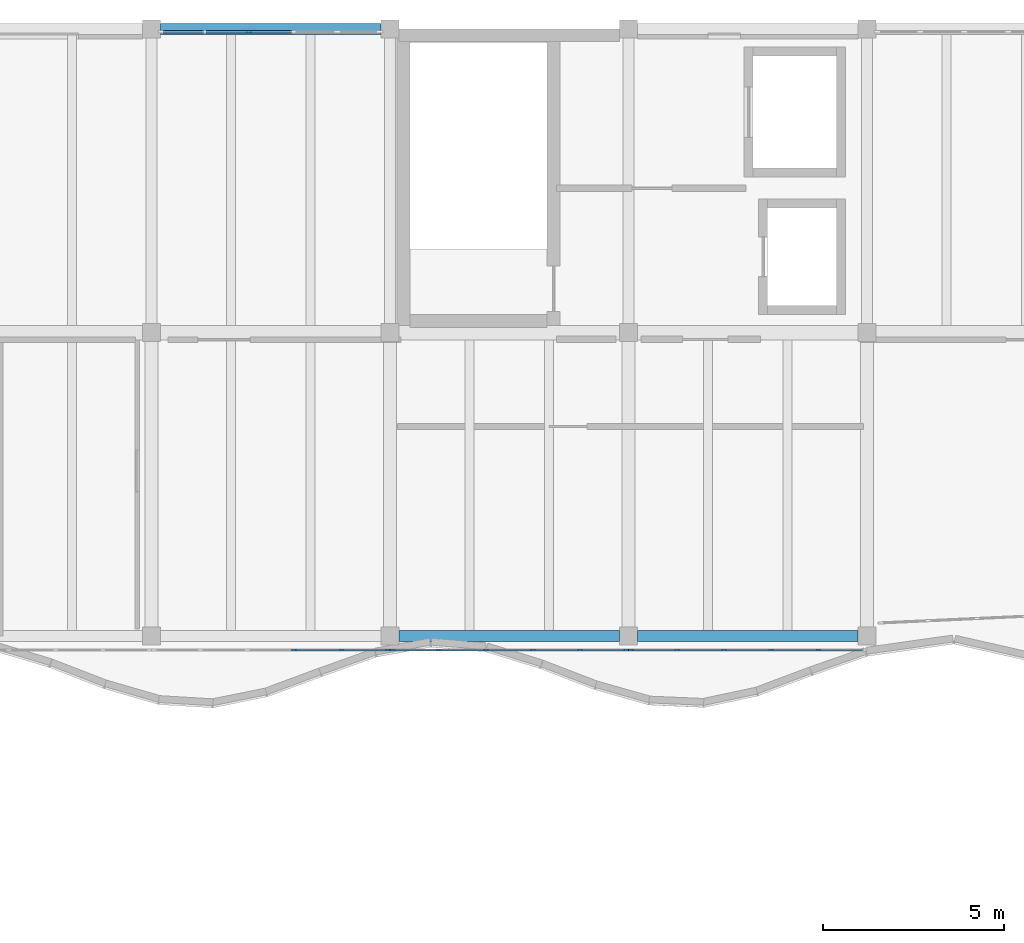
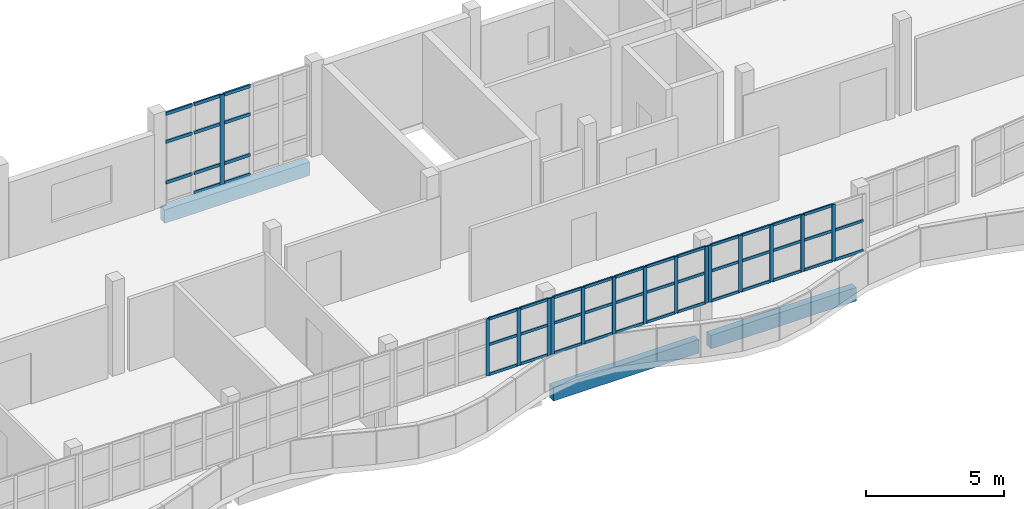
# One storey, part 12 of 47: 61 members, 3 beams, 4 elements without a shape of their own.
"""IFC4 building model written with IfcOpenShell, lengths in metres."""

from ifc_helpers import new_model, si_unit, direction, frame, origin, origin_2d, place, context, subcontext, project, spatial, rectangle, extrude, material, material_profile, profile_set, type_object, element, aggregate, save


model = new_model("IFC4")

# Units and contexts
model_context = context("Model", 3, precision=1e-05, world=origin(), true_north=direction((0.0, 1.0)))
body_context = subcontext(model_context, "Body", "Model", "MODEL_VIEW")
ifc_project = project(units=[si_unit("LENGTHUNIT", "METRE"), si_unit("AREAUNIT", "SQUARE_METRE"), si_unit("VOLUMEUNIT", "CUBIC_METRE"), si_unit("PLANEANGLEUNIT", "RADIAN"), si_unit("MASSUNIT", "GRAM", prefix="KILO")], contexts=[model_context])

# Site, building, storey
site_placement = place(None, origin())
site = spatial("IfcSite", under=ifc_project, at=site_placement, CompositionType="ELEMENT")
building_placement = place(site_placement, origin())
building = spatial("IfcBuilding", under=site, at=building_placement, Name="Qaldarim Faculty of Natural and Applied Sciences", CompositionType="ELEMENT")
storey_placement = place(building_placement, frame((0.0, 0.0, 22.800048828125)))
storey = spatial("IfcBuildingStorey", under=building, at=storey_placement, Name="L05", CompositionType="ELEMENT", Elevation=22.800048828125)

# Curtain wall, members
ifc_material_1 = material(Name="Anodised aluminium AW-6063", Category="aluminium")
curtain_wall_type_1 = type_object("IfcCurtainWallType", Name="CurtainWallSystem-M1400", PredefinedType="USERDEFINED", material=ifc_material_1)
curtain_wall_1_placement = place(storey_placement, origin())
curtain_wall_1 = element("IfcCurtainWall", 1, at=curtain_wall_1_placement, inside=storey, type_object=curtain_wall_type_1, Name="Curtain wall CW-V4RIB-L05-X15", ObjectType="STICK CURTAIN WALL", PredefinedType="USERDEFINED")
ifc_material_profile_1 = material_profile(ifc_material_1, rectangle(XDim=0.06005859375, YDim=0.14990234375, at=origin_2d()), Name="ALU-M60x150")
ifc_profile_set_1 = profile_set([ifc_material_profile_1], Name="Anodised aluminium AW-6063")
member_type_1 = type_object("IfcMemberType", Name="Mullion-ALU60x150", PredefinedType="MULLION", material=ifc_profile_set_1)
member_1_placement = place(storey_placement, frame((96.35205078125, 100.419921875, 1.449951171875), z_axis=(0.0, 0.0, 1.0), x_axis=(0.0, 1.0, 0.0)))
member_1 = element("IfcMember", 2, at=member_1_placement, type_object=member_type_1, Name="Mullion 4 of CW-V4RIB-L05-X15", PredefinedType="MULLION", context=body_context, shape_type="SweptSolid", body=[
    extrude(rectangle(XDim=0.06005859375, YDim=0.14990234375, at=origin_2d()), origin(), (0.0, 0.0, 1.0), 2.510009765625),
])
member_2_placement = place(storey_placement, frame((97.656005859375, 100.419921875, 1.449951171875), z_axis=(0.0, 0.0, 1.0), x_axis=(0.0, 1.0, 0.0)))
member_2 = element("IfcMember", 3, at=member_2_placement, type_object=member_type_1, Name="Mullion 5 of CW-V4RIB-L05-X15", PredefinedType="MULLION", context=body_context, shape_type="SweptSolid", body=[
    extrude(rectangle(XDim=0.06005859375, YDim=0.14990234375, at=origin_2d()), origin(), (0.0, 0.0, 1.0), 2.510009765625),
])
member_3_placement = place(storey_placement, frame((98.929931640625, 100.419921875, 1.449951171875), z_axis=(0.0, 0.0, 1.0), x_axis=(0.0, 1.0, 0.0)))
member_3 = element("IfcMember", 4, at=member_3_placement, type_object=member_type_1, Name="Mullion 6 of CW-V4RIB-L05-X15", PredefinedType="MULLION", context=body_context, shape_type="SweptSolid", body=[
    extrude(rectangle(XDim=0.06005859375, YDim=0.14990234375, at=origin_2d()), origin(), (0.0, 0.0, 1.0), 2.510009765625),
])

curtain_wall_2_placement = place(storey_placement, origin())
curtain_wall_2 = element("IfcCurtainWall", 5, at=curtain_wall_2_placement, inside=storey, type_object=curtain_wall_type_1, Name="Curtain wall CW-V4RIB-L05-X16", ObjectType="STICK CURTAIN WALL", PredefinedType="USERDEFINED")
member_4_placement = place(storey_placement, frame((99.070068359375, 100.419921875, 1.449951171875), z_axis=(0.0, 0.0, 1.0), x_axis=(0.0, 1.0, 0.0)))
member_4 = element("IfcMember", 6, at=member_4_placement, type_object=member_type_1, Name="Mullion 1 of CW-V4RIB-L05-X16", PredefinedType="MULLION", context=body_context, shape_type="SweptSolid", body=[
    extrude(rectangle(XDim=0.06005859375, YDim=0.14990234375, at=origin_2d()), origin(), (0.0, 0.0, 1.0), 2.510009765625),
])
member_5_placement = place(storey_placement, frame((100.343994140625, 100.419921875, 1.449951171875), z_axis=(0.0, 0.0, 1.0), x_axis=(0.0, 1.0, 0.0)))
member_5 = element("IfcMember", 7, at=member_5_placement, type_object=member_type_1, Name="Mullion 2 of CW-V4RIB-L05-X16", PredefinedType="MULLION", context=body_context, shape_type="SweptSolid", body=[
    extrude(rectangle(XDim=0.06005859375, YDim=0.14990234375, at=origin_2d()), origin(), (0.0, 0.0, 1.0), 2.510009765625),
])
member_6_placement = place(storey_placement, frame((101.64794921875, 100.419921875, 1.449951171875), z_axis=(0.0, 0.0, 1.0), x_axis=(0.0, 1.0, 0.0)))
member_6 = element("IfcMember", 8, at=member_6_placement, type_object=member_type_1, Name="Mullion 3 of CW-V4RIB-L05-X16", PredefinedType="MULLION", context=body_context, shape_type="SweptSolid", body=[
    extrude(rectangle(XDim=0.06005859375, YDim=0.14990234375, at=origin_2d()), origin(), (0.0, 0.0, 1.0), 2.510009765625),
])
member_7_placement = place(storey_placement, frame((102.951904296875, 100.419921875, 1.449951171875), z_axis=(0.0, 0.0, 1.0), x_axis=(0.0, 1.0, 0.0)))
member_7 = element("IfcMember", 9, at=member_7_placement, type_object=member_type_1, Name="Mullion 4 of CW-V4RIB-L05-X16", PredefinedType="MULLION", context=body_context, shape_type="SweptSolid", body=[
    extrude(rectangle(XDim=0.06005859375, YDim=0.14990234375, at=origin_2d()), origin(), (0.0, 0.0, 1.0), 2.510009765625),
])
member_8_placement = place(storey_placement, frame((104.256103515625, 100.419921875, 1.449951171875), z_axis=(0.0, 0.0, 1.0), x_axis=(0.0, 1.0, 0.0)))
member_8 = element("IfcMember", 10, at=member_8_placement, type_object=member_type_1, Name="Mullion 5 of CW-V4RIB-L05-X16", PredefinedType="MULLION", context=body_context, shape_type="SweptSolid", body=[
    extrude(rectangle(XDim=0.06005859375, YDim=0.14990234375, at=origin_2d()), origin(), (0.0, 0.0, 1.0), 2.510009765625),
])
member_9_placement = place(storey_placement, frame((105.530029296875, 100.419921875, 1.449951171875), z_axis=(0.0, 0.0, 1.0), x_axis=(0.0, 1.0, 0.0)))
member_9 = element("IfcMember", 11, at=member_9_placement, type_object=member_type_1, Name="Mullion 6 of CW-V4RIB-L05-X16", PredefinedType="MULLION", context=body_context, shape_type="SweptSolid", body=[
    extrude(rectangle(XDim=0.06005859375, YDim=0.14990234375, at=origin_2d()), origin(), (0.0, 0.0, 1.0), 2.510009765625),
])

curtain_wall_3_placement = place(storey_placement, origin())
curtain_wall_3 = element("IfcCurtainWall", 12, at=curtain_wall_3_placement, inside=storey, type_object=curtain_wall_type_1, Name="Curtain wall CW-V4RIB-L05-X17", ObjectType="STICK CURTAIN WALL", PredefinedType="USERDEFINED")
member_10_placement = place(storey_placement, frame((105.669921875, 100.419921875, 1.449951171875), z_axis=(0.0, 0.0, 1.0), x_axis=(0.0, 1.0, 0.0)))
member_10 = element("IfcMember", 13, at=member_10_placement, type_object=member_type_1, Name="Mullion 1 of CW-V4RIB-L05-X17", PredefinedType="MULLION", context=body_context, shape_type="SweptSolid", body=[
    extrude(rectangle(XDim=0.06005859375, YDim=0.14990234375, at=origin_2d()), origin(), (0.0, 0.0, 1.0), 2.510009765625),
])
member_11_placement = place(storey_placement, frame((106.944091796875, 100.419921875, 1.449951171875), z_axis=(0.0, 0.0, 1.0), x_axis=(0.0, 1.0, 0.0)))
member_11 = element("IfcMember", 14, at=member_11_placement, type_object=member_type_1, Name="Mullion 2 of CW-V4RIB-L05-X17", PredefinedType="MULLION", context=body_context, shape_type="SweptSolid", body=[
    extrude(rectangle(XDim=0.06005859375, YDim=0.14990234375, at=origin_2d()), origin(), (0.0, 0.0, 1.0), 2.510009765625),
])
member_12_placement = place(storey_placement, frame((108.248046875, 100.419921875, 1.449951171875), z_axis=(0.0, 0.0, 1.0), x_axis=(0.0, 1.0, 0.0)))
member_12 = element("IfcMember", 15, at=member_12_placement, type_object=member_type_1, Name="Mullion 3 of CW-V4RIB-L05-X17", PredefinedType="MULLION", context=body_context, shape_type="SweptSolid", body=[
    extrude(rectangle(XDim=0.06005859375, YDim=0.14990234375, at=origin_2d()), origin(), (0.0, 0.0, 1.0), 2.510009765625),
])
member_13_placement = place(storey_placement, frame((109.552001953125, 100.419921875, 1.449951171875), z_axis=(0.0, 0.0, 1.0), x_axis=(0.0, 1.0, 0.0)))
member_13 = element("IfcMember", 16, at=member_13_placement, type_object=member_type_1, Name="Mullion 4 of CW-V4RIB-L05-X17", PredefinedType="MULLION", context=body_context, shape_type="SweptSolid", body=[
    extrude(rectangle(XDim=0.06005859375, YDim=0.14990234375, at=origin_2d()), origin(), (0.0, 0.0, 1.0), 2.510009765625),
])
member_14_placement = place(storey_placement, frame((110.85595703125, 100.419921875, 1.449951171875), z_axis=(0.0, 0.0, 1.0), x_axis=(0.0, 1.0, 0.0)))
member_14 = element("IfcMember", 17, at=member_14_placement, type_object=member_type_1, Name="Mullion 5 of CW-V4RIB-L05-X17", PredefinedType="MULLION", context=body_context, shape_type="SweptSolid", body=[
    extrude(rectangle(XDim=0.06005859375, YDim=0.14990234375, at=origin_2d()), origin(), (0.0, 0.0, 1.0), 2.510009765625),
])

# Curtain wall, member
curtain_wall_type_2 = type_object("IfcCurtainWallType", Name="CurtainWallSystem-M1200", PredefinedType="USERDEFINED", material=ifc_material_1)
curtain_wall_4_placement = place(storey_placement, origin())
curtain_wall_4 = element("IfcCurtainWall", 18, at=curtain_wall_4_placement, inside=storey, type_object=curtain_wall_type_2, Name="Curtain wall CW-L05-N-X15Y14", ObjectType="STICK CURTAIN WALL", PredefinedType="USERDEFINED")
ifc_material_profile_2 = material_profile(ifc_material_1, rectangle(XDim=0.070068359375, YDim=0.179931640625, at=origin_2d()), Name="ALU-M70x180")
ifc_profile_set_2 = profile_set([ifc_material_profile_2], Name="Anodised aluminium AW-6063")
member_type_2 = type_object("IfcMemberType", Name="Mullion-ALU70x180", PredefinedType="MULLION", material=ifc_profile_set_2)
member_15_placement = place(storey_placement, frame((95.089111328125, 117.52001953125, 0.0), z_axis=(0.0, 0.0, 1.0), x_axis=(0.0, -1.0, 0.0)))
member_15 = element("IfcMember", 19, at=member_15_placement, type_object=member_type_2, Name="Mullion 4 of CW-L05-N-X15Y14", PredefinedType="MULLION", context=body_context, shape_type="SweptSolid", body=[
    extrude(rectangle(XDim=0.070068359375, YDim=0.179931640625, at=origin_2d()), origin(), (0.0, 0.0, 1.0), 3.97998046875),
])

# Beams
ifc_material_2 = material(Name="Precast concrete C40/50", Category="concrete")
ifc_material_profile_3 = material_profile(ifc_material_2, rectangle(XDim=0.300048828125, YDim=0.60009765625, at=origin_2d()), Name="RC-SP300x600")
ifc_profile_set_3 = profile_set([ifc_material_profile_3], Name="Precast concrete C40/50")
beam_type = type_object("IfcBeamType", Name="SpandrelBeam-RC300x600", PredefinedType="SPANDREL", material=ifc_profile_set_3)
beam_1_placement = place(storey_placement, frame((99.25, 100.800048828125, -0.56005859375), z_axis=(1.0, 0.0, 0.0), x_axis=(0.0, 1.0, 0.0)))
element("IfcBeam", 20, at=beam_1_placement, inside=storey, type_object=beam_type, Name="Beam RC-SP300x600 L04 X16-X17/Y13", PredefinedType="SPANDREL", context=body_context, shape_type="SweptSolid", body=[
    extrude(rectangle(XDim=0.300048828125, YDim=0.60009765625, at=origin_2d()), origin(), (0.0, 0.0, 1.0), 6.10009765625),
])
beam_2_placement = place(storey_placement, frame((105.85009765625, 100.800048828125, -0.56005859375), z_axis=(1.0, 0.0, 0.0), x_axis=(0.0, 1.0, 0.0)))
element("IfcBeam", 21, at=beam_2_placement, inside=storey, type_object=beam_type, Name="Beam RC-SP300x600 L04 X17-X18/Y13", PredefinedType="SPANDREL", context=body_context, shape_type="SweptSolid", body=[
    extrude(rectangle(XDim=0.300048828125, YDim=0.60009765625, at=origin_2d()), origin(), (0.0, 0.0, 1.0), 6.099853515625),
])
beam_3_placement = place(storey_placement, frame((92.64990234375, 117.60009765625, -0.56005859375), z_axis=(1.0, 0.0, 0.0), x_axis=(0.0, 1.0, 0.0)))
element("IfcBeam", 22, at=beam_3_placement, inside=storey, type_object=beam_type, Name="Beam RC-SP300x600 L04 X15-X16/Y15", PredefinedType="SPANDREL", context=body_context, shape_type="SweptSolid", body=[
    extrude(rectangle(XDim=0.300048828125, YDim=0.60009765625, at=origin_2d()), origin(), (0.0, 0.0, 1.0), 6.10009765625),
])

# Member
ifc_material_profile_4 = material_profile(ifc_material_1, rectangle(XDim=0.06005859375, YDim=0.1201171875, at=origin_2d()), Name="ALU-T60x120")
ifc_profile_set_4 = profile_set([ifc_material_profile_4], Name="Anodised aluminium AW-6063")
member_type_3 = type_object("IfcMemberType", Name="Transom-ALU60x120", PredefinedType="USERDEFINED", material=ifc_profile_set_4)
member_16_placement = place(storey_placement, frame((96.382080078125, 100.419921875, 1.47998046875), z_axis=(1.0, 0.0, 0.0), x_axis=(0.0, 1.0, 0.0)))
member_16 = element("IfcMember", 23, at=member_16_placement, type_object=member_type_3, Name="Transom 4-1 of CW-V4RIB-L05-X15", ObjectType="TRANSOM", PredefinedType="USERDEFINED", context=body_context, shape_type="SweptSolid", body=[
    extrude(rectangle(XDim=0.06005859375, YDim=0.1201171875, at=origin_2d()), origin(), (0.0, 0.0, 1.0), 1.243896484375),
])

member_17_placement = place(storey_placement, frame((96.382080078125, 100.419921875, 2.800048828125), z_axis=(1.0, 0.0, 0.0), x_axis=(0.0, 1.0, 0.0)))
member_17 = element("IfcMember", 24, at=member_17_placement, type_object=member_type_3, Name="Transom 4-2 of CW-V4RIB-L05-X15", ObjectType="TRANSOM", PredefinedType="USERDEFINED", context=body_context, shape_type="SweptSolid", body=[
    extrude(rectangle(XDim=0.06005859375, YDim=0.1201171875, at=origin_2d()), origin(), (0.0, 0.0, 1.0), 1.243896484375),
])

member_18_placement = place(storey_placement, frame((96.382080078125, 100.419921875, 3.929931640625), z_axis=(1.0, 0.0, 0.0), x_axis=(0.0, 1.0, 0.0)))
member_18 = element("IfcMember", 25, at=member_18_placement, type_object=member_type_3, Name="Transom 4-3 of CW-V4RIB-L05-X15", ObjectType="TRANSOM", PredefinedType="USERDEFINED", context=body_context, shape_type="SweptSolid", body=[
    extrude(rectangle(XDim=0.06005859375, YDim=0.1201171875, at=origin_2d()), origin(), (0.0, 0.0, 1.0), 1.243896484375),
])

member_19_placement = place(storey_placement, frame((97.68603515625, 100.419921875, 1.47998046875), z_axis=(1.0, 0.0, 0.0), x_axis=(0.0, 1.0, 0.0)))
member_19 = element("IfcMember", 26, at=member_19_placement, type_object=member_type_3, Name="Transom 5-1 of CW-V4RIB-L05-X15", ObjectType="TRANSOM", PredefinedType="USERDEFINED", context=body_context, shape_type="SweptSolid", body=[
    extrude(rectangle(XDim=0.06005859375, YDim=0.1201171875, at=origin_2d()), origin(), (0.0, 0.0, 1.0), 1.2138671875),
])

member_20_placement = place(storey_placement, frame((97.68603515625, 100.419921875, 2.800048828125), z_axis=(1.0, 0.0, 0.0), x_axis=(0.0, 1.0, 0.0)))
member_20 = element("IfcMember", 27, at=member_20_placement, type_object=member_type_3, Name="Transom 5-2 of CW-V4RIB-L05-X15", ObjectType="TRANSOM", PredefinedType="USERDEFINED", context=body_context, shape_type="SweptSolid", body=[
    extrude(rectangle(XDim=0.06005859375, YDim=0.1201171875, at=origin_2d()), origin(), (0.0, 0.0, 1.0), 1.2138671875),
])

member_21_placement = place(storey_placement, frame((97.68603515625, 100.419921875, 3.929931640625), z_axis=(1.0, 0.0, 0.0), x_axis=(0.0, 1.0, 0.0)))
member_21 = element("IfcMember", 28, at=member_21_placement, type_object=member_type_3, Name="Transom 5-3 of CW-V4RIB-L05-X15", ObjectType="TRANSOM", PredefinedType="USERDEFINED", context=body_context, shape_type="SweptSolid", body=[
    extrude(rectangle(XDim=0.06005859375, YDim=0.1201171875, at=origin_2d()), origin(), (0.0, 0.0, 1.0), 1.2138671875),
])

aggregate(curtain_wall_1, [member_1, member_2, member_3, member_16, member_17, member_18, member_19, member_20, member_21])

member_22_placement = place(storey_placement, frame((99.10009765625, 100.419921875, 1.47998046875), z_axis=(1.0, 0.0, 0.0), x_axis=(0.0, 1.0, 0.0)))
member_22 = element("IfcMember", 29, at=member_22_placement, type_object=member_type_3, Name="Transom 1-1 of CW-V4RIB-L05-X16", ObjectType="TRANSOM", PredefinedType="USERDEFINED", context=body_context, shape_type="SweptSolid", body=[
    extrude(rectangle(XDim=0.06005859375, YDim=0.1201171875, at=origin_2d()), origin(), (0.0, 0.0, 1.0), 1.2138671875),
])

member_23_placement = place(storey_placement, frame((99.10009765625, 100.419921875, 2.800048828125), z_axis=(1.0, 0.0, 0.0), x_axis=(0.0, 1.0, 0.0)))
member_23 = element("IfcMember", 30, at=member_23_placement, type_object=member_type_3, Name="Transom 1-2 of CW-V4RIB-L05-X16", ObjectType="TRANSOM", PredefinedType="USERDEFINED", context=body_context, shape_type="SweptSolid", body=[
    extrude(rectangle(XDim=0.06005859375, YDim=0.1201171875, at=origin_2d()), origin(), (0.0, 0.0, 1.0), 1.2138671875),
])

member_24_placement = place(storey_placement, frame((99.10009765625, 100.419921875, 3.929931640625), z_axis=(1.0, 0.0, 0.0), x_axis=(0.0, 1.0, 0.0)))
member_24 = element("IfcMember", 31, at=member_24_placement, type_object=member_type_3, Name="Transom 1-3 of CW-V4RIB-L05-X16", ObjectType="TRANSOM", PredefinedType="USERDEFINED", context=body_context, shape_type="SweptSolid", body=[
    extrude(rectangle(XDim=0.06005859375, YDim=0.1201171875, at=origin_2d()), origin(), (0.0, 0.0, 1.0), 1.2138671875),
])

member_25_placement = place(storey_placement, frame((100.3740234375, 100.419921875, 1.47998046875), z_axis=(1.0, 0.0, 0.0), x_axis=(0.0, 1.0, 0.0)))
member_25 = element("IfcMember", 32, at=member_25_placement, type_object=member_type_3, Name="Transom 2-1 of CW-V4RIB-L05-X16", ObjectType="TRANSOM", PredefinedType="USERDEFINED", context=body_context, shape_type="SweptSolid", body=[
    extrude(rectangle(XDim=0.06005859375, YDim=0.1201171875, at=origin_2d()), origin(), (0.0, 0.0, 1.0), 1.243896484375),
])

member_26_placement = place(storey_placement, frame((100.3740234375, 100.419921875, 2.800048828125), z_axis=(1.0, 0.0, 0.0), x_axis=(0.0, 1.0, 0.0)))
member_26 = element("IfcMember", 33, at=member_26_placement, type_object=member_type_3, Name="Transom 2-2 of CW-V4RIB-L05-X16", ObjectType="TRANSOM", PredefinedType="USERDEFINED", context=body_context, shape_type="SweptSolid", body=[
    extrude(rectangle(XDim=0.06005859375, YDim=0.1201171875, at=origin_2d()), origin(), (0.0, 0.0, 1.0), 1.243896484375),
])

member_27_placement = place(storey_placement, frame((100.3740234375, 100.419921875, 3.929931640625), z_axis=(1.0, 0.0, 0.0), x_axis=(0.0, 1.0, 0.0)))
member_27 = element("IfcMember", 34, at=member_27_placement, type_object=member_type_3, Name="Transom 2-3 of CW-V4RIB-L05-X16", ObjectType="TRANSOM", PredefinedType="USERDEFINED", context=body_context, shape_type="SweptSolid", body=[
    extrude(rectangle(XDim=0.06005859375, YDim=0.1201171875, at=origin_2d()), origin(), (0.0, 0.0, 1.0), 1.243896484375),
])

member_28_placement = place(storey_placement, frame((101.677978515625, 100.419921875, 1.47998046875), z_axis=(1.0, 0.0, 0.0), x_axis=(0.0, 1.0, 0.0)))
member_28 = element("IfcMember", 35, at=member_28_placement, type_object=member_type_3, Name="Transom 3-1 of CW-V4RIB-L05-X16", ObjectType="TRANSOM", PredefinedType="USERDEFINED", context=body_context, shape_type="SweptSolid", body=[
    extrude(rectangle(XDim=0.06005859375, YDim=0.1201171875, at=origin_2d()), origin(), (0.0, 0.0, 1.0), 1.244140625),
])

member_29_placement = place(storey_placement, frame((101.677978515625, 100.419921875, 2.800048828125), z_axis=(1.0, 0.0, 0.0), x_axis=(0.0, 1.0, 0.0)))
member_29 = element("IfcMember", 36, at=member_29_placement, type_object=member_type_3, Name="Transom 3-2 of CW-V4RIB-L05-X16", ObjectType="TRANSOM", PredefinedType="USERDEFINED", context=body_context, shape_type="SweptSolid", body=[
    extrude(rectangle(XDim=0.06005859375, YDim=0.1201171875, at=origin_2d()), origin(), (0.0, 0.0, 1.0), 1.244140625),
])

member_30_placement = place(storey_placement, frame((101.677978515625, 100.419921875, 3.929931640625), z_axis=(1.0, 0.0, 0.0), x_axis=(0.0, 1.0, 0.0)))
member_30 = element("IfcMember", 37, at=member_30_placement, type_object=member_type_3, Name="Transom 3-3 of CW-V4RIB-L05-X16", ObjectType="TRANSOM", PredefinedType="USERDEFINED", context=body_context, shape_type="SweptSolid", body=[
    extrude(rectangle(XDim=0.06005859375, YDim=0.1201171875, at=origin_2d()), origin(), (0.0, 0.0, 1.0), 1.244140625),
])

member_31_placement = place(storey_placement, frame((102.98193359375, 100.419921875, 1.47998046875), z_axis=(1.0, 0.0, 0.0), x_axis=(0.0, 1.0, 0.0)))
member_31 = element("IfcMember", 38, at=member_31_placement, type_object=member_type_3, Name="Transom 4-1 of CW-V4RIB-L05-X16", ObjectType="TRANSOM", PredefinedType="USERDEFINED", context=body_context, shape_type="SweptSolid", body=[
    extrude(rectangle(XDim=0.06005859375, YDim=0.1201171875, at=origin_2d()), origin(), (0.0, 0.0, 1.0), 1.244140625),
])

member_32_placement = place(storey_placement, frame((102.98193359375, 100.419921875, 2.800048828125), z_axis=(1.0, 0.0, 0.0), x_axis=(0.0, 1.0, 0.0)))
member_32 = element("IfcMember", 39, at=member_32_placement, type_object=member_type_3, Name="Transom 4-2 of CW-V4RIB-L05-X16", ObjectType="TRANSOM", PredefinedType="USERDEFINED", context=body_context, shape_type="SweptSolid", body=[
    extrude(rectangle(XDim=0.06005859375, YDim=0.1201171875, at=origin_2d()), origin(), (0.0, 0.0, 1.0), 1.244140625),
])

member_33_placement = place(storey_placement, frame((102.98193359375, 100.419921875, 3.929931640625), z_axis=(1.0, 0.0, 0.0), x_axis=(0.0, 1.0, 0.0)))
member_33 = element("IfcMember", 40, at=member_33_placement, type_object=member_type_3, Name="Transom 4-3 of CW-V4RIB-L05-X16", ObjectType="TRANSOM", PredefinedType="USERDEFINED", context=body_context, shape_type="SweptSolid", body=[
    extrude(rectangle(XDim=0.06005859375, YDim=0.1201171875, at=origin_2d()), origin(), (0.0, 0.0, 1.0), 1.244140625),
])

member_34_placement = place(storey_placement, frame((104.285888671875, 100.419921875, 1.47998046875), z_axis=(1.0, 0.0, 0.0), x_axis=(0.0, 1.0, 0.0)))
member_34 = element("IfcMember", 41, at=member_34_placement, type_object=member_type_3, Name="Transom 5-1 of CW-V4RIB-L05-X16", ObjectType="TRANSOM", PredefinedType="USERDEFINED", context=body_context, shape_type="SweptSolid", body=[
    extrude(rectangle(XDim=0.06005859375, YDim=0.1201171875, at=origin_2d()), origin(), (0.0, 0.0, 1.0), 1.214111328125),
])

member_35_placement = place(storey_placement, frame((104.285888671875, 100.419921875, 2.800048828125), z_axis=(1.0, 0.0, 0.0), x_axis=(0.0, 1.0, 0.0)))
member_35 = element("IfcMember", 42, at=member_35_placement, type_object=member_type_3, Name="Transom 5-2 of CW-V4RIB-L05-X16", ObjectType="TRANSOM", PredefinedType="USERDEFINED", context=body_context, shape_type="SweptSolid", body=[
    extrude(rectangle(XDim=0.06005859375, YDim=0.1201171875, at=origin_2d()), origin(), (0.0, 0.0, 1.0), 1.214111328125),
])

member_36_placement = place(storey_placement, frame((104.285888671875, 100.419921875, 3.929931640625), z_axis=(1.0, 0.0, 0.0), x_axis=(0.0, 1.0, 0.0)))
member_36 = element("IfcMember", 43, at=member_36_placement, type_object=member_type_3, Name="Transom 5-3 of CW-V4RIB-L05-X16", ObjectType="TRANSOM", PredefinedType="USERDEFINED", context=body_context, shape_type="SweptSolid", body=[
    extrude(rectangle(XDim=0.06005859375, YDim=0.1201171875, at=origin_2d()), origin(), (0.0, 0.0, 1.0), 1.214111328125),
])

aggregate(curtain_wall_2, [member_4, member_5, member_6, member_7, member_8, member_9, member_22, member_23, member_24, member_25, member_26, member_27, member_28, member_29, member_30, member_31, member_32, member_33, member_34, member_35, member_36])

member_37_placement = place(storey_placement, frame((105.699951171875, 100.419921875, 1.47998046875), z_axis=(1.0, 0.0, 0.0), x_axis=(0.0, 1.0, 0.0)))
member_37 = element("IfcMember", 44, at=member_37_placement, type_object=member_type_3, Name="Transom 1-1 of CW-V4RIB-L05-X17", ObjectType="TRANSOM", PredefinedType="USERDEFINED", context=body_context, shape_type="SweptSolid", body=[
    extrude(rectangle(XDim=0.06005859375, YDim=0.1201171875, at=origin_2d()), origin(), (0.0, 0.0, 1.0), 1.214111328125),
])

member_38_placement = place(storey_placement, frame((105.699951171875, 100.419921875, 2.800048828125), z_axis=(1.0, 0.0, 0.0), x_axis=(0.0, 1.0, 0.0)))
member_38 = element("IfcMember", 45, at=member_38_placement, type_object=member_type_3, Name="Transom 1-2 of CW-V4RIB-L05-X17", ObjectType="TRANSOM", PredefinedType="USERDEFINED", context=body_context, shape_type="SweptSolid", body=[
    extrude(rectangle(XDim=0.06005859375, YDim=0.1201171875, at=origin_2d()), origin(), (0.0, 0.0, 1.0), 1.214111328125),
])

member_39_placement = place(storey_placement, frame((105.699951171875, 100.419921875, 3.929931640625), z_axis=(1.0, 0.0, 0.0), x_axis=(0.0, 1.0, 0.0)))
member_39 = element("IfcMember", 46, at=member_39_placement, type_object=member_type_3, Name="Transom 1-3 of CW-V4RIB-L05-X17", ObjectType="TRANSOM", PredefinedType="USERDEFINED", context=body_context, shape_type="SweptSolid", body=[
    extrude(rectangle(XDim=0.06005859375, YDim=0.1201171875, at=origin_2d()), origin(), (0.0, 0.0, 1.0), 1.214111328125),
])

member_40_placement = place(storey_placement, frame((106.97412109375, 100.419921875, 1.47998046875), z_axis=(1.0, 0.0, 0.0), x_axis=(0.0, 1.0, 0.0)))
member_40 = element("IfcMember", 47, at=member_40_placement, type_object=member_type_3, Name="Transom 2-1 of CW-V4RIB-L05-X17", ObjectType="TRANSOM", PredefinedType="USERDEFINED", context=body_context, shape_type="SweptSolid", body=[
    extrude(rectangle(XDim=0.06005859375, YDim=0.1201171875, at=origin_2d()), origin(), (0.0, 0.0, 1.0), 1.243896484375),
])

member_41_placement = place(storey_placement, frame((106.97412109375, 100.419921875, 2.800048828125), z_axis=(1.0, 0.0, 0.0), x_axis=(0.0, 1.0, 0.0)))
member_41 = element("IfcMember", 48, at=member_41_placement, type_object=member_type_3, Name="Transom 2-2 of CW-V4RIB-L05-X17", ObjectType="TRANSOM", PredefinedType="USERDEFINED", context=body_context, shape_type="SweptSolid", body=[
    extrude(rectangle(XDim=0.06005859375, YDim=0.1201171875, at=origin_2d()), origin(), (0.0, 0.0, 1.0), 1.243896484375),
])

member_42_placement = place(storey_placement, frame((106.97412109375, 100.419921875, 3.929931640625), z_axis=(1.0, 0.0, 0.0), x_axis=(0.0, 1.0, 0.0)))
member_42 = element("IfcMember", 49, at=member_42_placement, type_object=member_type_3, Name="Transom 2-3 of CW-V4RIB-L05-X17", ObjectType="TRANSOM", PredefinedType="USERDEFINED", context=body_context, shape_type="SweptSolid", body=[
    extrude(rectangle(XDim=0.06005859375, YDim=0.1201171875, at=origin_2d()), origin(), (0.0, 0.0, 1.0), 1.243896484375),
])

member_43_placement = place(storey_placement, frame((108.278076171875, 100.419921875, 1.47998046875), z_axis=(1.0, 0.0, 0.0), x_axis=(0.0, 1.0, 0.0)))
member_43 = element("IfcMember", 50, at=member_43_placement, type_object=member_type_3, Name="Transom 3-1 of CW-V4RIB-L05-X17", ObjectType="TRANSOM", PredefinedType="USERDEFINED", context=body_context, shape_type="SweptSolid", body=[
    extrude(rectangle(XDim=0.06005859375, YDim=0.1201171875, at=origin_2d()), origin(), (0.0, 0.0, 1.0), 1.243896484375),
])

member_44_placement = place(storey_placement, frame((108.278076171875, 100.419921875, 2.800048828125), z_axis=(1.0, 0.0, 0.0), x_axis=(0.0, 1.0, 0.0)))
member_44 = element("IfcMember", 51, at=member_44_placement, type_object=member_type_3, Name="Transom 3-2 of CW-V4RIB-L05-X17", ObjectType="TRANSOM", PredefinedType="USERDEFINED", context=body_context, shape_type="SweptSolid", body=[
    extrude(rectangle(XDim=0.06005859375, YDim=0.1201171875, at=origin_2d()), origin(), (0.0, 0.0, 1.0), 1.243896484375),
])

member_45_placement = place(storey_placement, frame((108.278076171875, 100.419921875, 3.929931640625), z_axis=(1.0, 0.0, 0.0), x_axis=(0.0, 1.0, 0.0)))
member_45 = element("IfcMember", 52, at=member_45_placement, type_object=member_type_3, Name="Transom 3-3 of CW-V4RIB-L05-X17", ObjectType="TRANSOM", PredefinedType="USERDEFINED", context=body_context, shape_type="SweptSolid", body=[
    extrude(rectangle(XDim=0.06005859375, YDim=0.1201171875, at=origin_2d()), origin(), (0.0, 0.0, 1.0), 1.243896484375),
])

member_46_placement = place(storey_placement, frame((109.58203125, 100.419921875, 1.47998046875), z_axis=(1.0, 0.0, 0.0), x_axis=(0.0, 1.0, 0.0)))
member_46 = element("IfcMember", 53, at=member_46_placement, type_object=member_type_3, Name="Transom 4-1 of CW-V4RIB-L05-X17", ObjectType="TRANSOM", PredefinedType="USERDEFINED", context=body_context, shape_type="SweptSolid", body=[
    extrude(rectangle(XDim=0.06005859375, YDim=0.1201171875, at=origin_2d()), origin(), (0.0, 0.0, 1.0), 1.243896484375),
])

member_47_placement = place(storey_placement, frame((109.58203125, 100.419921875, 2.800048828125), z_axis=(1.0, 0.0, 0.0), x_axis=(0.0, 1.0, 0.0)))
member_47 = element("IfcMember", 54, at=member_47_placement, type_object=member_type_3, Name="Transom 4-2 of CW-V4RIB-L05-X17", ObjectType="TRANSOM", PredefinedType="USERDEFINED", context=body_context, shape_type="SweptSolid", body=[
    extrude(rectangle(XDim=0.06005859375, YDim=0.1201171875, at=origin_2d()), origin(), (0.0, 0.0, 1.0), 1.243896484375),
])

member_48_placement = place(storey_placement, frame((109.58203125, 100.419921875, 3.929931640625), z_axis=(1.0, 0.0, 0.0), x_axis=(0.0, 1.0, 0.0)))
member_48 = element("IfcMember", 55, at=member_48_placement, type_object=member_type_3, Name="Transom 4-3 of CW-V4RIB-L05-X17", ObjectType="TRANSOM", PredefinedType="USERDEFINED", context=body_context, shape_type="SweptSolid", body=[
    extrude(rectangle(XDim=0.06005859375, YDim=0.1201171875, at=origin_2d()), origin(), (0.0, 0.0, 1.0), 1.243896484375),
])

member_49_placement = place(storey_placement, frame((110.885986328125, 100.419921875, 1.47998046875), z_axis=(1.0, 0.0, 0.0), x_axis=(0.0, 1.0, 0.0)))
member_49 = element("IfcMember", 56, at=member_49_placement, type_object=member_type_3, Name="Transom 5-1 of CW-V4RIB-L05-X17", ObjectType="TRANSOM", PredefinedType="USERDEFINED", context=body_context, shape_type="SweptSolid", body=[
    extrude(rectangle(XDim=0.06005859375, YDim=0.1201171875, at=origin_2d()), origin(), (0.0, 0.0, 1.0), 1.214111328125),
])

member_50_placement = place(storey_placement, frame((110.885986328125, 100.419921875, 2.800048828125), z_axis=(1.0, 0.0, 0.0), x_axis=(0.0, 1.0, 0.0)))
member_50 = element("IfcMember", 57, at=member_50_placement, type_object=member_type_3, Name="Transom 5-2 of CW-V4RIB-L05-X17", ObjectType="TRANSOM", PredefinedType="USERDEFINED", context=body_context, shape_type="SweptSolid", body=[
    extrude(rectangle(XDim=0.06005859375, YDim=0.1201171875, at=origin_2d()), origin(), (0.0, 0.0, 1.0), 1.214111328125),
])

aggregate(curtain_wall_3, [member_10, member_11, member_12, member_13, member_14, member_37, member_38, member_39, member_40, member_41, member_42, member_43, member_44, member_45, member_46, member_47, member_48, member_49, member_50])

ifc_material_profile_5 = material_profile(ifc_material_1, rectangle(XDim=0.070068359375, YDim=0.139892578125, at=origin_2d()), Name="ALU-T70x140")
ifc_profile_set_5 = profile_set([ifc_material_profile_5], Name="Anodised aluminium AW-6063")
member_type_4 = type_object("IfcMemberType", Name="Transom-ALU70x140", PredefinedType="USERDEFINED", material=ifc_profile_set_5)
member_51_placement = place(storey_placement, frame((96.27587890625, 117.52001953125, 0.034912109375), z_axis=(-1.0, 0.0, 0.0), x_axis=(0.0, -1.0, 0.0)))
member_51 = element("IfcMember", 58, at=member_51_placement, type_object=member_type_4, Name="Transom 3-1 of CW-L05-N-X15Y14", ObjectType="TRANSOM", PredefinedType="USERDEFINED", context=body_context, shape_type="SweptSolid", body=[
    extrude(rectangle(XDim=0.070068359375, YDim=0.139892578125, at=origin_2d()), origin(), (0.0, 0.0, 1.0), 1.15185546875),
])

member_52_placement = place(storey_placement, frame((96.27587890625, 117.52001953125, 0.89990234375), z_axis=(-1.0, 0.0, 0.0), x_axis=(0.0, -1.0, 0.0)))
member_52 = element("IfcMember", 59, at=member_52_placement, type_object=member_type_4, Name="Transom 3-2 of CW-L05-N-X15Y14", ObjectType="TRANSOM", PredefinedType="USERDEFINED", context=body_context, shape_type="SweptSolid", body=[
    extrude(rectangle(XDim=0.070068359375, YDim=0.139892578125, at=origin_2d()), origin(), (0.0, 0.0, 1.0), 1.15185546875),
])

member_53_placement = place(storey_placement, frame((96.27587890625, 117.52001953125, 2.699951171875), z_axis=(-1.0, 0.0, 0.0), x_axis=(0.0, -1.0, 0.0)))
member_53 = element("IfcMember", 60, at=member_53_placement, type_object=member_type_4, Name="Transom 3-3 of CW-L05-N-X15Y14", ObjectType="TRANSOM", PredefinedType="USERDEFINED", context=body_context, shape_type="SweptSolid", body=[
    extrude(rectangle(XDim=0.070068359375, YDim=0.139892578125, at=origin_2d()), origin(), (0.0, 0.0, 1.0), 1.15185546875),
])

member_54_placement = place(storey_placement, frame((96.27587890625, 117.52001953125, 3.945068359375), z_axis=(-1.0, 0.0, 0.0), x_axis=(0.0, -1.0, 0.0)))
member_54 = element("IfcMember", 61, at=member_54_placement, type_object=member_type_4, Name="Transom 3-4 of CW-L05-N-X15Y14", ObjectType="TRANSOM", PredefinedType="USERDEFINED", context=body_context, shape_type="SweptSolid", body=[
    extrude(rectangle(XDim=0.070068359375, YDim=0.139892578125, at=origin_2d()), origin(), (0.0, 0.0, 1.0), 1.15185546875),
])

member_55_placement = place(storey_placement, frame((95.053955078125, 117.52001953125, 0.034912109375), z_axis=(-1.0, 0.0, 0.0), x_axis=(0.0, -1.0, 0.0)))
member_55 = element("IfcMember", 62, at=member_55_placement, type_object=member_type_4, Name="Transom 4-1 of CW-L05-N-X15Y14", ObjectType="TRANSOM", PredefinedType="USERDEFINED", context=body_context, shape_type="SweptSolid", body=[
    extrude(rectangle(XDim=0.070068359375, YDim=0.139892578125, at=origin_2d()), origin(), (0.0, 0.0, 1.0), 1.15185546875),
])

member_56_placement = place(storey_placement, frame((95.053955078125, 117.52001953125, 0.89990234375), z_axis=(-1.0, 0.0, 0.0), x_axis=(0.0, -1.0, 0.0)))
member_56 = element("IfcMember", 63, at=member_56_placement, type_object=member_type_4, Name="Transom 4-2 of CW-L05-N-X15Y14", ObjectType="TRANSOM", PredefinedType="USERDEFINED", context=body_context, shape_type="SweptSolid", body=[
    extrude(rectangle(XDim=0.070068359375, YDim=0.139892578125, at=origin_2d()), origin(), (0.0, 0.0, 1.0), 1.15185546875),
])

member_57_placement = place(storey_placement, frame((95.053955078125, 117.52001953125, 2.699951171875), z_axis=(-1.0, 0.0, 0.0), x_axis=(0.0, -1.0, 0.0)))
member_57 = element("IfcMember", 64, at=member_57_placement, type_object=member_type_4, Name="Transom 4-3 of CW-L05-N-X15Y14", ObjectType="TRANSOM", PredefinedType="USERDEFINED", context=body_context, shape_type="SweptSolid", body=[
    extrude(rectangle(XDim=0.070068359375, YDim=0.139892578125, at=origin_2d()), origin(), (0.0, 0.0, 1.0), 1.15185546875),
])

member_58_placement = place(storey_placement, frame((95.053955078125, 117.52001953125, 3.945068359375), z_axis=(-1.0, 0.0, 0.0), x_axis=(0.0, -1.0, 0.0)))
member_58 = element("IfcMember", 65, at=member_58_placement, type_object=member_type_4, Name="Transom 4-4 of CW-L05-N-X15Y14", ObjectType="TRANSOM", PredefinedType="USERDEFINED", context=body_context, shape_type="SweptSolid", body=[
    extrude(rectangle(XDim=0.070068359375, YDim=0.139892578125, at=origin_2d()), origin(), (0.0, 0.0, 1.0), 1.15185546875),
])

member_59_placement = place(storey_placement, frame((93.83203125, 117.52001953125, 0.89990234375), z_axis=(-1.0, 0.0, 0.0), x_axis=(0.0, -1.0, 0.0)))
member_59 = element("IfcMember", 66, at=member_59_placement, type_object=member_type_4, Name="Transom 5-2 of CW-L05-N-X15Y14", ObjectType="TRANSOM", PredefinedType="USERDEFINED", context=body_context, shape_type="SweptSolid", body=[
    extrude(rectangle(XDim=0.070068359375, YDim=0.139892578125, at=origin_2d()), origin(), (0.0, 0.0, 1.0), 1.116943359375),
])

member_60_placement = place(storey_placement, frame((93.83203125, 117.52001953125, 2.699951171875), z_axis=(-1.0, 0.0, 0.0), x_axis=(0.0, -1.0, 0.0)))
member_60 = element("IfcMember", 67, at=member_60_placement, type_object=member_type_4, Name="Transom 5-3 of CW-L05-N-X15Y14", ObjectType="TRANSOM", PredefinedType="USERDEFINED", context=body_context, shape_type="SweptSolid", body=[
    extrude(rectangle(XDim=0.070068359375, YDim=0.139892578125, at=origin_2d()), origin(), (0.0, 0.0, 1.0), 1.116943359375),
])

member_61_placement = place(storey_placement, frame((93.83203125, 117.52001953125, 3.945068359375), z_axis=(-1.0, 0.0, 0.0), x_axis=(0.0, -1.0, 0.0)))
member_61 = element("IfcMember", 68, at=member_61_placement, type_object=member_type_4, Name="Transom 5-4 of CW-L05-N-X15Y14", ObjectType="TRANSOM", PredefinedType="USERDEFINED", context=body_context, shape_type="SweptSolid", body=[
    extrude(rectangle(XDim=0.070068359375, YDim=0.139892578125, at=origin_2d()), origin(), (0.0, 0.0, 1.0), 1.116943359375),
])

aggregate(curtain_wall_4, [member_15, member_51, member_52, member_53, member_54, member_55, member_56, member_57, member_58, member_59, member_60, member_61])

save(model, "model.ifc")
